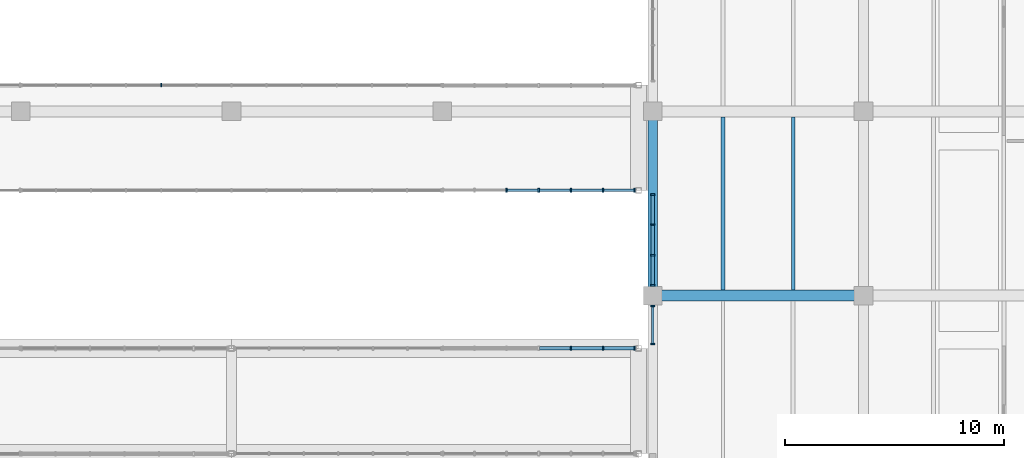
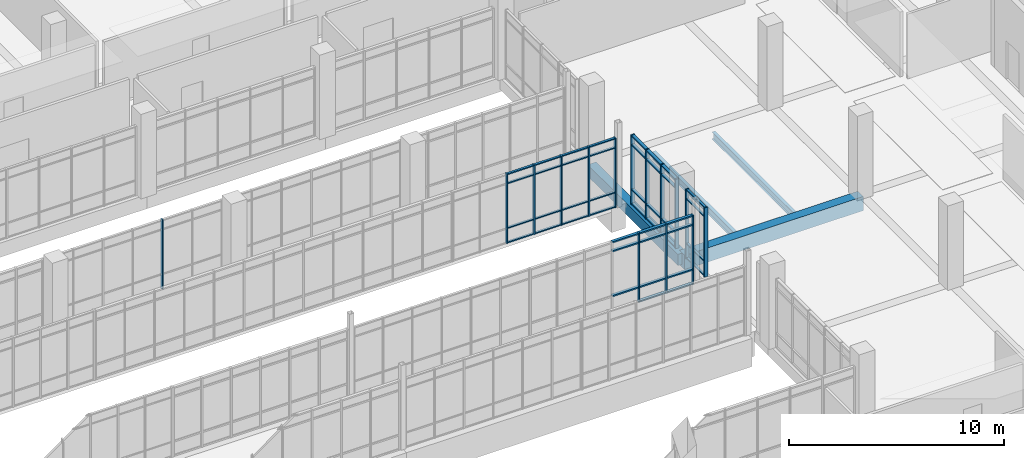
# One storey, part 58 of 152: 58 members, 4 beams, 5 elements without a shape of their own.
"""IFC4 building model written with IfcOpenShell, lengths in metres."""

from ifc_helpers import new_model, si_unit, direction, frame, origin, origin_2d, place, context, subcontext, project, spatial, rectangle, i_section, extrude, material, material_profile, profile_set, type_object, element, aggregate, save


model = new_model("IFC4")

# Units and contexts
model_context = context("Model", 3, precision=1e-05, world=origin(), true_north=direction((0.0, 1.0)))
body_context = subcontext(model_context, "Body", "Model", "MODEL_VIEW")
ifc_project = project(units=[si_unit("LENGTHUNIT", "METRE"), si_unit("AREAUNIT", "SQUARE_METRE"), si_unit("VOLUMEUNIT", "CUBIC_METRE"), si_unit("PLANEANGLEUNIT", "RADIAN"), si_unit("MASSUNIT", "GRAM", prefix="KILO")], contexts=[model_context])

# Site, building, storey
site_placement = place(None, origin())
site = spatial("IfcSite", under=ifc_project, at=site_placement, CompositionType="ELEMENT")
building_placement = place(site_placement, origin())
building = spatial("IfcBuilding", under=site, at=building_placement, Name="Oolite Switchyard Hospital", CompositionType="ELEMENT")
storey_placement = place(building_placement, frame((0.0, 0.0, 5.10009765625)))
storey = spatial("IfcBuildingStorey", under=building, at=storey_placement, Name="L01", CompositionType="ELEMENT", Elevation=5.10009765625)

# Beams
ifc_material_1 = material(Name="Concrete C40/50", Category="concrete")
ifc_material_profile_1 = material_profile(ifc_material_1, rectangle(XDim=0.449951171875, YDim=0.64990234375, at=origin_2d()), Name="RCB450X650")
ifc_profile_set_1 = profile_set([ifc_material_profile_1], Name="Concrete C40/50")
beam_type_1 = type_object("IfcBeamType", Name="BM-RC450X650", PredefinedType="BEAM", material=ifc_profile_set_1)
beam_1_placement = place(storey_placement, frame((182.39990234375, 42.0, -0.3251953125), z_axis=(0.0, 1.0, 0.0), x_axis=(-1.0, 0.0, 0.0)))
element("IfcBeam", 1, at=beam_1_placement, inside=storey, type_object=beam_type_1, Name="L01 Y-Girder 515", PredefinedType="BEAM", context=body_context, shape_type="SweptSolid", body=[
    extrude(rectangle(XDim=0.449951171875, YDim=0.64990234375, at=origin_2d()), origin(), (0.0, 0.0, 1.0), 8.39990234375),
])
ifc_material_profile_2 = material_profile(ifc_material_1, rectangle(XDim=0.5, YDim=0.800048828125, at=origin_2d()), Name="RCB500X800")
ifc_profile_set_2 = profile_set([ifc_material_profile_2], Name="Concrete C40/50")
beam_type_2 = type_object("IfcBeamType", Name="BM-RC500X800", PredefinedType="BEAM", material=ifc_profile_set_2)
beam_2_placement = place(storey_placement, frame((182.39990234375, 42.0, -0.400146484375), z_axis=(1.0, 0.0, 0.0), x_axis=(0.0, 1.0, 0.0)))
element("IfcBeam", 2, at=beam_2_placement, inside=storey, type_object=beam_type_2, Name="L01 X-Girder 93", PredefinedType="BEAM", context=body_context, shape_type="SweptSolid", body=[
    extrude(rectangle(XDim=0.5, YDim=0.800048828125, at=origin_2d()), origin(), (0.0, 0.0, 1.0), 9.60009765625),
])
ifc_material_2 = material(Name="Steel ASTM A992 Grade 50", Category="steel")
ifc_material_profile_3 = material_profile(ifc_material_2, i_section(OverallWidth=0.177978515625, OverallDepth=0.403076171875, WebThickness=0.008056640625, FlangeThickness=0.010986328125, at=origin_2d()), Name="W16X36")
ifc_profile_set_3 = profile_set([ifc_material_profile_3], Name="Steel ASTM A992 Grade 50")
beam_type_3 = type_object("IfcBeamType", Name="BM-W16X36", PredefinedType="JOIST", material=ifc_profile_set_3)
beam_3_placement = place(storey_placement, frame((188.800048828125, 42.25, -0.47705078125), z_axis=(0.0, 1.0, 0.0), x_axis=(-1.0, 0.0, 0.0)))
element("IfcBeam", 3, at=beam_3_placement, inside=storey, type_object=beam_type_3, Name="L01 Secondary Steel Joist 937", PredefinedType="JOIST", context=body_context, shape_type="SweptSolid", body=[
    extrude(i_section(OverallWidth=0.177978515625, OverallDepth=0.403076171875, WebThickness=0.008056640625, FlangeThickness=0.010986328125, at=origin_2d()), origin(), (0.0, 0.0, 1.0), 7.89990234375),
])
ifc_material_profile_4 = material_profile(ifc_material_2, i_section(OverallWidth=0.179931640625, OverallDepth=0.4130859375, WebThickness=0.010009765625, FlangeThickness=0.01611328125, at=origin_2d()), Name="W16X50")
ifc_profile_set_4 = profile_set([ifc_material_profile_4], Name="Steel ASTM A992 Grade 50")
beam_type_4 = type_object("IfcBeamType", Name="BM-W16X50", PredefinedType="JOIST", material=ifc_profile_set_4)
beam_4_placement = place(storey_placement, frame((185.60009765625, 42.25, -0.482177734375), z_axis=(0.0, 1.0, 0.0), x_axis=(-1.0, 0.0, 0.0)))
element("IfcBeam", 4, at=beam_4_placement, inside=storey, type_object=beam_type_4, Name="L01 Secondary Steel Joist 936", PredefinedType="JOIST", context=body_context, shape_type="SweptSolid", body=[
    extrude(i_section(OverallWidth=0.179931640625, OverallDepth=0.4130859375, WebThickness=0.010009765625, FlangeThickness=0.01611328125, at=origin_2d()), origin(), (0.0, 0.0, 1.0), 7.89990234375),
])

# Curtain wall, member
ifc_material_3 = material(Name="Thermally broken aluminum frame with laminated impact glazing", Category="aluminium")
curtain_wall_type = type_object("IfcCurtainWallType", Name="CW-BRG-96X38", PredefinedType="USERDEFINED", material=ifc_material_3)
curtain_wall_1_placement = place(storey_placement, origin())
curtain_wall_1 = element("IfcCurtainWall", 5, at=curtain_wall_1_placement, inside=storey, type_object=curtain_wall_type, Name="L01 Unitised Curtain Wall 128", ObjectType="UNITISED", PredefinedType="USERDEFINED")
ifc_material_4 = material(Name="Aluminium 6063-T6", Category="aluminium")
ifc_material_profile_5 = material_profile(ifc_material_4, rectangle(XDim=0.159912109375, YDim=0.06005859375, at=origin_2d()), Name="CWM60X160")
ifc_profile_set_5 = profile_set([ifc_material_profile_5], Name="Aluminium 6063-T6")
member_type_1 = type_object("IfcMemberType", Name="CW-MUL-180", PredefinedType="MULLION", material=ifc_profile_set_5)
member_1_placement = place(storey_placement, frame((160.0, 51.60009765625, 0.0), z_axis=(0.0, 0.0, 1.0), x_axis=(0.0, 1.0, 0.0)))
member_1 = element("IfcMember", 6, at=member_1_placement, type_object=member_type_1, Name="CW-12 mullion 5", PredefinedType="MULLION", context=body_context, shape_type="SweptSolid", body=[
    extrude(rectangle(XDim=0.159912109375, YDim=0.06005859375, at=origin_2d()), origin(), (0.0, 0.0, 1.0), 3.93994140625),
])
aggregate(curtain_wall_1, [member_1])

# Curtain wall, members
curtain_wall_2_placement = place(storey_placement, origin())
curtain_wall_2 = element("IfcCurtainWall", 7, at=curtain_wall_2_placement, inside=storey, type_object=curtain_wall_type, Name="L01 Unitised Curtain Wall 123", ObjectType="UNITISED", PredefinedType="USERDEFINED")
ifc_material_profile_6 = material_profile(ifc_material_4, rectangle(XDim=0.179931640625, YDim=0.070068359375, at=origin_2d()), Name="CWM70X180")
ifc_profile_set_6 = profile_set([ifc_material_profile_6], Name="Aluminium 6063-T6")
member_type_2 = type_object("IfcMemberType", Name="CW-MUL-220", PredefinedType="MULLION", material=ifc_profile_set_6)
member_2_placement = place(storey_placement, frame((178.672119140625, 39.60009765625, 0.0), z_axis=(0.0, 0.0, 1.0), x_axis=(0.0, 1.0, 0.0)))
member_2 = element("IfcMember", 8, at=member_2_placement, type_object=member_type_2, Name="CW-12 mullion 5", PredefinedType="MULLION", context=body_context, shape_type="SweptSolid", body=[
    extrude(rectangle(XDim=0.179931640625, YDim=0.070068359375, at=origin_2d()), origin(), (0.0, 0.0, 1.0), 3.93994140625),
])
member_3_placement = place(storey_placement, frame((180.139892578125, 39.60009765625, 0.0), z_axis=(0.0, 0.0, 1.0), x_axis=(0.0, 1.0, 0.0)))
member_3 = element("IfcMember", 9, at=member_3_placement, type_object=member_type_2, Name="CW-12 mullion 6", PredefinedType="MULLION", context=body_context, shape_type="SweptSolid", body=[
    extrude(rectangle(XDim=0.179931640625, YDim=0.070068359375, at=origin_2d()), origin(), (0.0, 0.0, 1.0), 3.93994140625),
])
member_4_placement = place(storey_placement, frame((181.572998046875, 39.60009765625, 0.0), z_axis=(0.0, 0.0, 1.0), x_axis=(0.0, 1.0, 0.0)))
member_4 = element("IfcMember", 10, at=member_4_placement, type_object=member_type_2, Name="CW-12 mullion 7", PredefinedType="MULLION", context=body_context, shape_type="SweptSolid", body=[
    extrude(rectangle(XDim=0.179931640625, YDim=0.070068359375, at=origin_2d()), origin(), (0.0, 0.0, 1.0), 3.93994140625),
])

curtain_wall_3_placement = place(storey_placement, origin())
curtain_wall_3 = element("IfcCurtainWall", 11, at=curtain_wall_3_placement, inside=storey, type_object=curtain_wall_type, Name="L01 Unitised Curtain Wall 126", ObjectType="UNITISED", PredefinedType="USERDEFINED")
member_5_placement = place(storey_placement, frame((181.572998046875, 46.800048828125, 0.0), z_axis=(0.0, 0.0, 1.0), x_axis=(0.0, -1.0, 0.0)))
member_5 = element("IfcMember", 12, at=member_5_placement, type_object=member_type_2, Name="CW-12 mullion 1", PredefinedType="MULLION", context=body_context, shape_type="SweptSolid", body=[
    extrude(rectangle(XDim=0.179931640625, YDim=0.070068359375, at=origin_2d()), origin(), (0.0, 0.0, 1.0), 3.93994140625),
])
member_6_placement = place(storey_placement, frame((180.139892578125, 46.800048828125, 0.0), z_axis=(0.0, 0.0, 1.0), x_axis=(0.0, -1.0, 0.0)))
member_6 = element("IfcMember", 13, at=member_6_placement, type_object=member_type_2, Name="CW-12 mullion 2", PredefinedType="MULLION", context=body_context, shape_type="SweptSolid", body=[
    extrude(rectangle(XDim=0.179931640625, YDim=0.070068359375, at=origin_2d()), origin(), (0.0, 0.0, 1.0), 3.93994140625),
])
member_7_placement = place(storey_placement, frame((178.672119140625, 46.800048828125, 0.0), z_axis=(0.0, 0.0, 1.0), x_axis=(0.0, -1.0, 0.0)))
member_7 = element("IfcMember", 14, at=member_7_placement, type_object=member_type_2, Name="CW-12 mullion 3", PredefinedType="MULLION", context=body_context, shape_type="SweptSolid", body=[
    extrude(rectangle(XDim=0.179931640625, YDim=0.070068359375, at=origin_2d()), origin(), (0.0, 0.0, 1.0), 3.93994140625),
])
member_8_placement = place(storey_placement, frame((177.2041015625, 46.800048828125, 0.0), z_axis=(0.0, 0.0, 1.0), x_axis=(0.0, -1.0, 0.0)))
member_8 = element("IfcMember", 15, at=member_8_placement, type_object=member_type_2, Name="CW-12 mullion 4", PredefinedType="MULLION", context=body_context, shape_type="SweptSolid", body=[
    extrude(rectangle(XDim=0.179931640625, YDim=0.070068359375, at=origin_2d()), origin(), (0.0, 0.0, 1.0), 3.93994140625),
])
member_9_placement = place(storey_placement, frame((175.736083984375, 46.800048828125, 0.0), z_axis=(0.0, 0.0, 1.0), x_axis=(0.0, -1.0, 0.0)))
member_9 = element("IfcMember", 16, at=member_9_placement, type_object=member_type_2, Name="CW-12 mullion 5", PredefinedType="MULLION", context=body_context, shape_type="SweptSolid", body=[
    extrude(rectangle(XDim=0.179931640625, YDim=0.070068359375, at=origin_2d()), origin(), (0.0, 0.0, 1.0), 3.93994140625),
])

curtain_wall_4_placement = place(storey_placement, origin())
curtain_wall_4 = element("IfcCurtainWall", 17, at=curtain_wall_4_placement, inside=storey, type_object=curtain_wall_type, Name="L01 Unitised Curtain Wall 198", ObjectType="UNITISED", PredefinedType="USERDEFINED")
member_10_placement = place(storey_placement, frame((182.39990234375, 39.794921875, 0.0), z_axis=(0.0, 0.0, 1.0), x_axis=(-1.0, 0.0, 0.0)))
member_10 = element("IfcMember", 18, at=member_10_placement, type_object=member_type_2, Name="CW-12 mullion 1", PredefinedType="MULLION", context=body_context, shape_type="SweptSolid", body=[
    extrude(rectangle(XDim=0.179931640625, YDim=0.070068359375, at=origin_2d()), origin(), (0.0, 0.0, 1.0), 3.93994140625),
])
member_11_placement = place(storey_placement, frame((182.39990234375, 41.52490234375, 0.0), z_axis=(0.0, 0.0, 1.0), x_axis=(-1.0, 0.0, 0.0)))
member_11 = element("IfcMember", 19, at=member_11_placement, type_object=member_type_2, Name="CW-12 mullion 2", PredefinedType="MULLION", context=body_context, shape_type="SweptSolid", body=[
    extrude(rectangle(XDim=0.179931640625, YDim=0.070068359375, at=origin_2d()), origin(), (0.0, 0.0, 1.0), 3.93994140625),
])

curtain_wall_5_placement = place(storey_placement, origin())
curtain_wall_5 = element("IfcCurtainWall", 20, at=curtain_wall_5_placement, inside=storey, type_object=curtain_wall_type, Name="L01 Unitised Curtain Wall 199", ObjectType="UNITISED", PredefinedType="USERDEFINED")
ifc_material_profile_7 = material_profile(ifc_material_4, rectangle(XDim=0.199951171875, YDim=0.074951171875, at=origin_2d()), Name="CWM75X200")
ifc_profile_set_7 = profile_set([ifc_material_profile_7], Name="Aluminium 6063-T6")
member_type_3 = type_object("IfcMemberType", Name="CW-MUL-260", PredefinedType="MULLION", material=ifc_profile_set_7)
member_12_placement = place(storey_placement, frame((182.39990234375, 42.4775390625, 0.0), z_axis=(0.0, 0.0, 1.0), x_axis=(-1.0, 0.0, 0.0)))
member_12 = element("IfcMember", 21, at=member_12_placement, type_object=member_type_3, Name="CW-12 mullion 1", PredefinedType="MULLION", context=body_context, shape_type="SweptSolid", body=[
    extrude(rectangle(XDim=0.199951171875, YDim=0.074951171875, at=origin_2d()), origin(), (0.0, 0.0, 1.0), 3.93994140625),
])
member_13_placement = place(storey_placement, frame((182.39990234375, 43.840087890625, 0.0), z_axis=(0.0, 0.0, 1.0), x_axis=(-1.0, 0.0, 0.0)))
member_13 = element("IfcMember", 22, at=member_13_placement, type_object=member_type_3, Name="CW-12 mullion 2", PredefinedType="MULLION", context=body_context, shape_type="SweptSolid", body=[
    extrude(rectangle(XDim=0.199951171875, YDim=0.074951171875, at=origin_2d()), origin(), (0.0, 0.0, 1.0), 3.93994140625),
])
member_14_placement = place(storey_placement, frame((182.39990234375, 45.239990234375, 0.0), z_axis=(0.0, 0.0, 1.0), x_axis=(-1.0, 0.0, 0.0)))
member_14 = element("IfcMember", 23, at=member_14_placement, type_object=member_type_3, Name="CW-12 mullion 3", PredefinedType="MULLION", context=body_context, shape_type="SweptSolid", body=[
    extrude(rectangle(XDim=0.199951171875, YDim=0.074951171875, at=origin_2d()), origin(), (0.0, 0.0, 1.0), 3.93994140625),
])
member_15_placement = place(storey_placement, frame((182.39990234375, 46.6025390625, 0.0), z_axis=(0.0, 0.0, 1.0), x_axis=(-1.0, 0.0, 0.0)))
member_15 = element("IfcMember", 24, at=member_15_placement, type_object=member_type_3, Name="CW-12 mullion 4", PredefinedType="MULLION", context=body_context, shape_type="SweptSolid", body=[
    extrude(rectangle(XDim=0.199951171875, YDim=0.074951171875, at=origin_2d()), origin(), (0.0, 0.0, 1.0), 3.93994140625),
])

# Member
ifc_material_profile_8 = material_profile(ifc_material_4, rectangle(XDim=0.1201171875, YDim=0.06005859375, at=origin_2d()), Name="CWT60X120")
ifc_profile_set_8 = profile_set([ifc_material_profile_8], Name="Aluminium 6063-T6")
member_type_4 = type_object("IfcMemberType", Name="CW-TRN-150", PredefinedType="USERDEFINED", material=ifc_profile_set_8)
member_16_placement = place(storey_placement, frame((181.5380859375, 46.800048828125, 0.02978515625), z_axis=(-1.0, 0.0, 0.0), x_axis=(0.0, -1.0, 0.0)))
member_16 = element("IfcMember", 25, at=member_16_placement, type_object=member_type_4, Name="CW-12 transom 1.1", ObjectType="TRANSOM", PredefinedType="USERDEFINED", context=body_context, shape_type="SweptSolid", body=[
    extrude(rectangle(XDim=0.1201171875, YDim=0.06005859375, at=origin_2d()), origin(), (0.0, 0.0, 1.0), 1.363037109375),
])

member_17_placement = place(storey_placement, frame((181.5380859375, 46.800048828125, 0.849853515625), z_axis=(-1.0, 0.0, 0.0), x_axis=(0.0, -1.0, 0.0)))
member_17 = element("IfcMember", 26, at=member_17_placement, type_object=member_type_4, Name="CW-12 transom 1.2", ObjectType="TRANSOM", PredefinedType="USERDEFINED", context=body_context, shape_type="SweptSolid", body=[
    extrude(rectangle(XDim=0.1201171875, YDim=0.06005859375, at=origin_2d()), origin(), (0.0, 0.0, 1.0), 1.363037109375),
])

member_18_placement = place(storey_placement, frame((181.5380859375, 46.800048828125, 3.389892578125), z_axis=(-1.0, 0.0, 0.0), x_axis=(0.0, -1.0, 0.0)))
member_18 = element("IfcMember", 27, at=member_18_placement, type_object=member_type_4, Name="CW-12 transom 1.3", ObjectType="TRANSOM", PredefinedType="USERDEFINED", context=body_context, shape_type="SweptSolid", body=[
    extrude(rectangle(XDim=0.1201171875, YDim=0.06005859375, at=origin_2d()), origin(), (0.0, 0.0, 1.0), 1.363037109375),
])

member_19_placement = place(storey_placement, frame((181.5380859375, 46.800048828125, 3.909912109375), z_axis=(-1.0, 0.0, 0.0), x_axis=(0.0, -1.0, 0.0)))
member_19 = element("IfcMember", 28, at=member_19_placement, type_object=member_type_4, Name="CW-12 transom 1.4", ObjectType="TRANSOM", PredefinedType="USERDEFINED", context=body_context, shape_type="SweptSolid", body=[
    extrude(rectangle(XDim=0.1201171875, YDim=0.06005859375, at=origin_2d()), origin(), (0.0, 0.0, 1.0), 1.363037109375),
])

member_20_placement = place(storey_placement, frame((180.10498046875, 46.800048828125, 0.02978515625), z_axis=(-1.0, 0.0, 0.0), x_axis=(0.0, -1.0, 0.0)))
member_20 = element("IfcMember", 29, at=member_20_placement, type_object=member_type_4, Name="CW-12 transom 2.1", ObjectType="TRANSOM", PredefinedType="USERDEFINED", context=body_context, shape_type="SweptSolid", body=[
    extrude(rectangle(XDim=0.1201171875, YDim=0.06005859375, at=origin_2d()), origin(), (0.0, 0.0, 1.0), 1.39794921875),
])

member_21_placement = place(storey_placement, frame((180.10498046875, 46.800048828125, 0.849853515625), z_axis=(-1.0, 0.0, 0.0), x_axis=(0.0, -1.0, 0.0)))
member_21 = element("IfcMember", 30, at=member_21_placement, type_object=member_type_4, Name="CW-12 transom 2.2", ObjectType="TRANSOM", PredefinedType="USERDEFINED", context=body_context, shape_type="SweptSolid", body=[
    extrude(rectangle(XDim=0.1201171875, YDim=0.06005859375, at=origin_2d()), origin(), (0.0, 0.0, 1.0), 1.39794921875),
])

member_22_placement = place(storey_placement, frame((180.10498046875, 46.800048828125, 3.389892578125), z_axis=(-1.0, 0.0, 0.0), x_axis=(0.0, -1.0, 0.0)))
member_22 = element("IfcMember", 31, at=member_22_placement, type_object=member_type_4, Name="CW-12 transom 2.3", ObjectType="TRANSOM", PredefinedType="USERDEFINED", context=body_context, shape_type="SweptSolid", body=[
    extrude(rectangle(XDim=0.1201171875, YDim=0.06005859375, at=origin_2d()), origin(), (0.0, 0.0, 1.0), 1.39794921875),
])

member_23_placement = place(storey_placement, frame((180.10498046875, 46.800048828125, 3.909912109375), z_axis=(-1.0, 0.0, 0.0), x_axis=(0.0, -1.0, 0.0)))
member_23 = element("IfcMember", 32, at=member_23_placement, type_object=member_type_4, Name="CW-12 transom 2.4", ObjectType="TRANSOM", PredefinedType="USERDEFINED", context=body_context, shape_type="SweptSolid", body=[
    extrude(rectangle(XDim=0.1201171875, YDim=0.06005859375, at=origin_2d()), origin(), (0.0, 0.0, 1.0), 1.39794921875),
])

member_24_placement = place(storey_placement, frame((178.636962890625, 46.800048828125, 0.02978515625), z_axis=(-1.0, 0.0, 0.0), x_axis=(0.0, -1.0, 0.0)))
member_24 = element("IfcMember", 33, at=member_24_placement, type_object=member_type_4, Name="CW-12 transom 3.1", ObjectType="TRANSOM", PredefinedType="USERDEFINED", context=body_context, shape_type="SweptSolid", body=[
    extrude(rectangle(XDim=0.1201171875, YDim=0.06005859375, at=origin_2d()), origin(), (0.0, 0.0, 1.0), 1.39794921875),
])

member_25_placement = place(storey_placement, frame((178.636962890625, 46.800048828125, 0.849853515625), z_axis=(-1.0, 0.0, 0.0), x_axis=(0.0, -1.0, 0.0)))
member_25 = element("IfcMember", 34, at=member_25_placement, type_object=member_type_4, Name="CW-12 transom 3.2", ObjectType="TRANSOM", PredefinedType="USERDEFINED", context=body_context, shape_type="SweptSolid", body=[
    extrude(rectangle(XDim=0.1201171875, YDim=0.06005859375, at=origin_2d()), origin(), (0.0, 0.0, 1.0), 1.39794921875),
])

member_26_placement = place(storey_placement, frame((178.636962890625, 46.800048828125, 3.389892578125), z_axis=(-1.0, 0.0, 0.0), x_axis=(0.0, -1.0, 0.0)))
member_26 = element("IfcMember", 35, at=member_26_placement, type_object=member_type_4, Name="CW-12 transom 3.3", ObjectType="TRANSOM", PredefinedType="USERDEFINED", context=body_context, shape_type="SweptSolid", body=[
    extrude(rectangle(XDim=0.1201171875, YDim=0.06005859375, at=origin_2d()), origin(), (0.0, 0.0, 1.0), 1.39794921875),
])

member_27_placement = place(storey_placement, frame((178.636962890625, 46.800048828125, 3.909912109375), z_axis=(-1.0, 0.0, 0.0), x_axis=(0.0, -1.0, 0.0)))
member_27 = element("IfcMember", 36, at=member_27_placement, type_object=member_type_4, Name="CW-12 transom 3.4", ObjectType="TRANSOM", PredefinedType="USERDEFINED", context=body_context, shape_type="SweptSolid", body=[
    extrude(rectangle(XDim=0.1201171875, YDim=0.06005859375, at=origin_2d()), origin(), (0.0, 0.0, 1.0), 1.39794921875),
])

member_28_placement = place(storey_placement, frame((177.1689453125, 46.800048828125, 0.02978515625), z_axis=(-1.0, 0.0, 0.0), x_axis=(0.0, -1.0, 0.0)))
member_28 = element("IfcMember", 37, at=member_28_placement, type_object=member_type_4, Name="CW-12 transom 4.1", ObjectType="TRANSOM", PredefinedType="USERDEFINED", context=body_context, shape_type="SweptSolid", body=[
    extrude(rectangle(XDim=0.1201171875, YDim=0.06005859375, at=origin_2d()), origin(), (0.0, 0.0, 1.0), 1.39794921875),
])

member_29_placement = place(storey_placement, frame((177.1689453125, 46.800048828125, 0.849853515625), z_axis=(-1.0, 0.0, 0.0), x_axis=(0.0, -1.0, 0.0)))
member_29 = element("IfcMember", 38, at=member_29_placement, type_object=member_type_4, Name="CW-12 transom 4.2", ObjectType="TRANSOM", PredefinedType="USERDEFINED", context=body_context, shape_type="SweptSolid", body=[
    extrude(rectangle(XDim=0.1201171875, YDim=0.06005859375, at=origin_2d()), origin(), (0.0, 0.0, 1.0), 1.39794921875),
])

member_30_placement = place(storey_placement, frame((177.1689453125, 46.800048828125, 3.389892578125), z_axis=(-1.0, 0.0, 0.0), x_axis=(0.0, -1.0, 0.0)))
member_30 = element("IfcMember", 39, at=member_30_placement, type_object=member_type_4, Name="CW-12 transom 4.3", ObjectType="TRANSOM", PredefinedType="USERDEFINED", context=body_context, shape_type="SweptSolid", body=[
    extrude(rectangle(XDim=0.1201171875, YDim=0.06005859375, at=origin_2d()), origin(), (0.0, 0.0, 1.0), 1.39794921875),
])

member_31_placement = place(storey_placement, frame((177.1689453125, 46.800048828125, 3.909912109375), z_axis=(-1.0, 0.0, 0.0), x_axis=(0.0, -1.0, 0.0)))
member_31 = element("IfcMember", 40, at=member_31_placement, type_object=member_type_4, Name="CW-12 transom 4.4", ObjectType="TRANSOM", PredefinedType="USERDEFINED", context=body_context, shape_type="SweptSolid", body=[
    extrude(rectangle(XDim=0.1201171875, YDim=0.06005859375, at=origin_2d()), origin(), (0.0, 0.0, 1.0), 1.39794921875),
])

aggregate(curtain_wall_3, [member_5, member_6, member_7, member_8, member_9, member_16, member_17, member_18, member_19, member_20, member_21, member_22, member_23, member_24, member_25, member_26, member_27, member_28, member_29, member_30, member_31])

member_32_placement = place(storey_placement, frame((182.39990234375, 39.830078125, 0.02978515625), z_axis=(0.0, 1.0, 0.0), x_axis=(-1.0, 0.0, 0.0)))
member_32 = element("IfcMember", 41, at=member_32_placement, type_object=member_type_4, Name="CW-12 transom 1.1", ObjectType="TRANSOM", PredefinedType="USERDEFINED", context=body_context, shape_type="SweptSolid", body=[
    extrude(rectangle(XDim=0.1201171875, YDim=0.06005859375, at=origin_2d()), origin(), (0.0, 0.0, 1.0), 1.659912109375),
])

member_33_placement = place(storey_placement, frame((182.39990234375, 39.830078125, 0.849853515625), z_axis=(0.0, 1.0, 0.0), x_axis=(-1.0, 0.0, 0.0)))
member_33 = element("IfcMember", 42, at=member_33_placement, type_object=member_type_4, Name="CW-12 transom 1.2", ObjectType="TRANSOM", PredefinedType="USERDEFINED", context=body_context, shape_type="SweptSolid", body=[
    extrude(rectangle(XDim=0.1201171875, YDim=0.06005859375, at=origin_2d()), origin(), (0.0, 0.0, 1.0), 1.659912109375),
])

member_34_placement = place(storey_placement, frame((182.39990234375, 39.830078125, 3.389892578125), z_axis=(0.0, 1.0, 0.0), x_axis=(-1.0, 0.0, 0.0)))
member_34 = element("IfcMember", 43, at=member_34_placement, type_object=member_type_4, Name="CW-12 transom 1.3", ObjectType="TRANSOM", PredefinedType="USERDEFINED", context=body_context, shape_type="SweptSolid", body=[
    extrude(rectangle(XDim=0.1201171875, YDim=0.06005859375, at=origin_2d()), origin(), (0.0, 0.0, 1.0), 1.659912109375),
])

member_35_placement = place(storey_placement, frame((182.39990234375, 39.830078125, 3.909912109375), z_axis=(0.0, 1.0, 0.0), x_axis=(-1.0, 0.0, 0.0)))
member_35 = element("IfcMember", 44, at=member_35_placement, type_object=member_type_4, Name="CW-12 transom 1.4", ObjectType="TRANSOM", PredefinedType="USERDEFINED", context=body_context, shape_type="SweptSolid", body=[
    extrude(rectangle(XDim=0.1201171875, YDim=0.06005859375, at=origin_2d()), origin(), (0.0, 0.0, 1.0), 1.659912109375),
])

aggregate(curtain_wall_4, [member_10, member_11, member_32, member_33, member_34, member_35])

ifc_material_profile_9 = material_profile(ifc_material_4, rectangle(XDim=0.159912109375, YDim=0.074951171875, at=origin_2d()), Name="CWT75X160")
ifc_profile_set_9 = profile_set([ifc_material_profile_9], Name="Aluminium 6063-T6")
member_type_5 = type_object("IfcMemberType", Name="CW-TRN-180", PredefinedType="USERDEFINED", material=ifc_profile_set_9)
member_36_placement = place(storey_placement, frame((177.239013671875, 39.60009765625, 0.849853515625), z_axis=(1.0, 0.0, 0.0), x_axis=(0.0, 1.0, 0.0)))
member_36 = element("IfcMember", 45, at=member_36_placement, type_object=member_type_5, Name="CW-12 transom 4.2", ObjectType="TRANSOM", PredefinedType="USERDEFINED", context=body_context, shape_type="SweptSolid", body=[
    extrude(rectangle(XDim=0.159912109375, YDim=0.074951171875, at=origin_2d()), origin(), (0.0, 0.0, 1.0), 1.39794921875),
])

member_37_placement = place(storey_placement, frame((177.239013671875, 39.60009765625, 3.389892578125), z_axis=(1.0, 0.0, 0.0), x_axis=(0.0, 1.0, 0.0)))
member_37 = element("IfcMember", 46, at=member_37_placement, type_object=member_type_5, Name="CW-12 transom 4.3", ObjectType="TRANSOM", PredefinedType="USERDEFINED", context=body_context, shape_type="SweptSolid", body=[
    extrude(rectangle(XDim=0.159912109375, YDim=0.074951171875, at=origin_2d()), origin(), (0.0, 0.0, 1.0), 1.39794921875),
])

member_38_placement = place(storey_placement, frame((177.239013671875, 39.60009765625, 3.90234375), z_axis=(1.0, 0.0, 0.0), x_axis=(0.0, 1.0, 0.0)))
member_38 = element("IfcMember", 47, at=member_38_placement, type_object=member_type_5, Name="CW-12 transom 4.4", ObjectType="TRANSOM", PredefinedType="USERDEFINED", context=body_context, shape_type="SweptSolid", body=[
    extrude(rectangle(XDim=0.159912109375, YDim=0.074951171875, at=origin_2d()), origin(), (0.0, 0.0, 1.0), 1.39794921875),
])

member_39_placement = place(storey_placement, frame((178.70703125, 39.60009765625, 0.037353515625), z_axis=(1.0, 0.0, 0.0), x_axis=(0.0, 1.0, 0.0)))
member_39 = element("IfcMember", 48, at=member_39_placement, type_object=member_type_5, Name="CW-12 transom 5.1", ObjectType="TRANSOM", PredefinedType="USERDEFINED", context=body_context, shape_type="SweptSolid", body=[
    extrude(rectangle(XDim=0.159912109375, YDim=0.074951171875, at=origin_2d()), origin(), (0.0, 0.0, 1.0), 1.39794921875),
])

member_40_placement = place(storey_placement, frame((178.70703125, 39.60009765625, 0.849853515625), z_axis=(1.0, 0.0, 0.0), x_axis=(0.0, 1.0, 0.0)))
member_40 = element("IfcMember", 49, at=member_40_placement, type_object=member_type_5, Name="CW-12 transom 5.2", ObjectType="TRANSOM", PredefinedType="USERDEFINED", context=body_context, shape_type="SweptSolid", body=[
    extrude(rectangle(XDim=0.159912109375, YDim=0.074951171875, at=origin_2d()), origin(), (0.0, 0.0, 1.0), 1.39794921875),
])

member_41_placement = place(storey_placement, frame((178.70703125, 39.60009765625, 3.389892578125), z_axis=(1.0, 0.0, 0.0), x_axis=(0.0, 1.0, 0.0)))
member_41 = element("IfcMember", 50, at=member_41_placement, type_object=member_type_5, Name="CW-12 transom 5.3", ObjectType="TRANSOM", PredefinedType="USERDEFINED", context=body_context, shape_type="SweptSolid", body=[
    extrude(rectangle(XDim=0.159912109375, YDim=0.074951171875, at=origin_2d()), origin(), (0.0, 0.0, 1.0), 1.39794921875),
])

member_42_placement = place(storey_placement, frame((178.70703125, 39.60009765625, 3.90234375), z_axis=(1.0, 0.0, 0.0), x_axis=(0.0, 1.0, 0.0)))
member_42 = element("IfcMember", 51, at=member_42_placement, type_object=member_type_5, Name="CW-12 transom 5.4", ObjectType="TRANSOM", PredefinedType="USERDEFINED", context=body_context, shape_type="SweptSolid", body=[
    extrude(rectangle(XDim=0.159912109375, YDim=0.074951171875, at=origin_2d()), origin(), (0.0, 0.0, 1.0), 1.39794921875),
])

member_43_placement = place(storey_placement, frame((180.175048828125, 39.60009765625, 0.037353515625), z_axis=(1.0, 0.0, 0.0), x_axis=(0.0, 1.0, 0.0)))
member_43 = element("IfcMember", 52, at=member_43_placement, type_object=member_type_5, Name="CW-12 transom 6.1", ObjectType="TRANSOM", PredefinedType="USERDEFINED", context=body_context, shape_type="SweptSolid", body=[
    extrude(rectangle(XDim=0.159912109375, YDim=0.074951171875, at=origin_2d()), origin(), (0.0, 0.0, 1.0), 1.363037109375),
])

member_44_placement = place(storey_placement, frame((180.175048828125, 39.60009765625, 0.849853515625), z_axis=(1.0, 0.0, 0.0), x_axis=(0.0, 1.0, 0.0)))
member_44 = element("IfcMember", 53, at=member_44_placement, type_object=member_type_5, Name="CW-12 transom 6.2", ObjectType="TRANSOM", PredefinedType="USERDEFINED", context=body_context, shape_type="SweptSolid", body=[
    extrude(rectangle(XDim=0.159912109375, YDim=0.074951171875, at=origin_2d()), origin(), (0.0, 0.0, 1.0), 1.363037109375),
])

member_45_placement = place(storey_placement, frame((180.175048828125, 39.60009765625, 3.389892578125), z_axis=(1.0, 0.0, 0.0), x_axis=(0.0, 1.0, 0.0)))
member_45 = element("IfcMember", 54, at=member_45_placement, type_object=member_type_5, Name="CW-12 transom 6.3", ObjectType="TRANSOM", PredefinedType="USERDEFINED", context=body_context, shape_type="SweptSolid", body=[
    extrude(rectangle(XDim=0.159912109375, YDim=0.074951171875, at=origin_2d()), origin(), (0.0, 0.0, 1.0), 1.363037109375),
])

member_46_placement = place(storey_placement, frame((180.175048828125, 39.60009765625, 3.90234375), z_axis=(1.0, 0.0, 0.0), x_axis=(0.0, 1.0, 0.0)))
member_46 = element("IfcMember", 55, at=member_46_placement, type_object=member_type_5, Name="CW-12 transom 6.4", ObjectType="TRANSOM", PredefinedType="USERDEFINED", context=body_context, shape_type="SweptSolid", body=[
    extrude(rectangle(XDim=0.159912109375, YDim=0.074951171875, at=origin_2d()), origin(), (0.0, 0.0, 1.0), 1.363037109375),
])

aggregate(curtain_wall_2, [member_2, member_3, member_4, member_36, member_37, member_38, member_39, member_40, member_41, member_42, member_43, member_44, member_45, member_46])

member_47_placement = place(storey_placement, frame((182.39990234375, 42.514892578125, 0.037353515625), z_axis=(0.0, 1.0, 0.0), x_axis=(-1.0, 0.0, 0.0)))
member_47 = element("IfcMember", 56, at=member_47_placement, type_object=member_type_5, Name="CW-12 transom 1.1", ObjectType="TRANSOM", PredefinedType="USERDEFINED", context=body_context, shape_type="SweptSolid", body=[
    extrude(rectangle(XDim=0.159912109375, YDim=0.074951171875, at=origin_2d()), origin(), (0.0, 0.0, 1.0), 1.28759765625),
])

member_48_placement = place(storey_placement, frame((182.39990234375, 42.514892578125, 0.849853515625), z_axis=(0.0, 1.0, 0.0), x_axis=(-1.0, 0.0, 0.0)))
member_48 = element("IfcMember", 57, at=member_48_placement, type_object=member_type_5, Name="CW-12 transom 1.2", ObjectType="TRANSOM", PredefinedType="USERDEFINED", context=body_context, shape_type="SweptSolid", body=[
    extrude(rectangle(XDim=0.159912109375, YDim=0.074951171875, at=origin_2d()), origin(), (0.0, 0.0, 1.0), 1.28759765625),
])

member_49_placement = place(storey_placement, frame((182.39990234375, 42.514892578125, 3.389892578125), z_axis=(0.0, 1.0, 0.0), x_axis=(-1.0, 0.0, 0.0)))
member_49 = element("IfcMember", 58, at=member_49_placement, type_object=member_type_5, Name="CW-12 transom 1.3", ObjectType="TRANSOM", PredefinedType="USERDEFINED", context=body_context, shape_type="SweptSolid", body=[
    extrude(rectangle(XDim=0.159912109375, YDim=0.074951171875, at=origin_2d()), origin(), (0.0, 0.0, 1.0), 1.28759765625),
])

member_50_placement = place(storey_placement, frame((182.39990234375, 42.514892578125, 3.90234375), z_axis=(0.0, 1.0, 0.0), x_axis=(-1.0, 0.0, 0.0)))
member_50 = element("IfcMember", 59, at=member_50_placement, type_object=member_type_5, Name="CW-12 transom 1.4", ObjectType="TRANSOM", PredefinedType="USERDEFINED", context=body_context, shape_type="SweptSolid", body=[
    extrude(rectangle(XDim=0.159912109375, YDim=0.074951171875, at=origin_2d()), origin(), (0.0, 0.0, 1.0), 1.28759765625),
])

member_51_placement = place(storey_placement, frame((182.39990234375, 43.87744140625, 0.037353515625), z_axis=(0.0, 1.0, 0.0), x_axis=(-1.0, 0.0, 0.0)))
member_51 = element("IfcMember", 60, at=member_51_placement, type_object=member_type_5, Name="CW-12 transom 2.1", ObjectType="TRANSOM", PredefinedType="USERDEFINED", context=body_context, shape_type="SweptSolid", body=[
    extrude(rectangle(XDim=0.159912109375, YDim=0.074951171875, at=origin_2d()), origin(), (0.0, 0.0, 1.0), 1.324951171875),
])

member_52_placement = place(storey_placement, frame((182.39990234375, 43.87744140625, 0.849853515625), z_axis=(0.0, 1.0, 0.0), x_axis=(-1.0, 0.0, 0.0)))
member_52 = element("IfcMember", 61, at=member_52_placement, type_object=member_type_5, Name="CW-12 transom 2.2", ObjectType="TRANSOM", PredefinedType="USERDEFINED", context=body_context, shape_type="SweptSolid", body=[
    extrude(rectangle(XDim=0.159912109375, YDim=0.074951171875, at=origin_2d()), origin(), (0.0, 0.0, 1.0), 1.324951171875),
])

member_53_placement = place(storey_placement, frame((182.39990234375, 43.87744140625, 3.389892578125), z_axis=(0.0, 1.0, 0.0), x_axis=(-1.0, 0.0, 0.0)))
member_53 = element("IfcMember", 62, at=member_53_placement, type_object=member_type_5, Name="CW-12 transom 2.3", ObjectType="TRANSOM", PredefinedType="USERDEFINED", context=body_context, shape_type="SweptSolid", body=[
    extrude(rectangle(XDim=0.159912109375, YDim=0.074951171875, at=origin_2d()), origin(), (0.0, 0.0, 1.0), 1.324951171875),
])

member_54_placement = place(storey_placement, frame((182.39990234375, 43.87744140625, 3.90234375), z_axis=(0.0, 1.0, 0.0), x_axis=(-1.0, 0.0, 0.0)))
member_54 = element("IfcMember", 63, at=member_54_placement, type_object=member_type_5, Name="CW-12 transom 2.4", ObjectType="TRANSOM", PredefinedType="USERDEFINED", context=body_context, shape_type="SweptSolid", body=[
    extrude(rectangle(XDim=0.159912109375, YDim=0.074951171875, at=origin_2d()), origin(), (0.0, 0.0, 1.0), 1.324951171875),
])

member_55_placement = place(storey_placement, frame((182.39990234375, 45.277587890625, 0.037353515625), z_axis=(0.0, 1.0, 0.0), x_axis=(-1.0, 0.0, 0.0)))
member_55 = element("IfcMember", 64, at=member_55_placement, type_object=member_type_5, Name="CW-12 transom 3.1", ObjectType="TRANSOM", PredefinedType="USERDEFINED", context=body_context, shape_type="SweptSolid", body=[
    extrude(rectangle(XDim=0.159912109375, YDim=0.074951171875, at=origin_2d()), origin(), (0.0, 0.0, 1.0), 1.287353515625),
])

member_56_placement = place(storey_placement, frame((182.39990234375, 45.277587890625, 0.849853515625), z_axis=(0.0, 1.0, 0.0), x_axis=(-1.0, 0.0, 0.0)))
member_56 = element("IfcMember", 65, at=member_56_placement, type_object=member_type_5, Name="CW-12 transom 3.2", ObjectType="TRANSOM", PredefinedType="USERDEFINED", context=body_context, shape_type="SweptSolid", body=[
    extrude(rectangle(XDim=0.159912109375, YDim=0.074951171875, at=origin_2d()), origin(), (0.0, 0.0, 1.0), 1.287353515625),
])

member_57_placement = place(storey_placement, frame((182.39990234375, 45.277587890625, 3.389892578125), z_axis=(0.0, 1.0, 0.0), x_axis=(-1.0, 0.0, 0.0)))
member_57 = element("IfcMember", 66, at=member_57_placement, type_object=member_type_5, Name="CW-12 transom 3.3", ObjectType="TRANSOM", PredefinedType="USERDEFINED", context=body_context, shape_type="SweptSolid", body=[
    extrude(rectangle(XDim=0.159912109375, YDim=0.074951171875, at=origin_2d()), origin(), (0.0, 0.0, 1.0), 1.287353515625),
])

member_58_placement = place(storey_placement, frame((182.39990234375, 45.277587890625, 3.90234375), z_axis=(0.0, 1.0, 0.0), x_axis=(-1.0, 0.0, 0.0)))
member_58 = element("IfcMember", 67, at=member_58_placement, type_object=member_type_5, Name="CW-12 transom 3.4", ObjectType="TRANSOM", PredefinedType="USERDEFINED", context=body_context, shape_type="SweptSolid", body=[
    extrude(rectangle(XDim=0.159912109375, YDim=0.074951171875, at=origin_2d()), origin(), (0.0, 0.0, 1.0), 1.287353515625),
])

aggregate(curtain_wall_5, [member_12, member_13, member_14, member_15, member_47, member_48, member_49, member_50, member_51, member_52, member_53, member_54, member_55, member_56, member_57, member_58])

save(model, "model.ifc")
